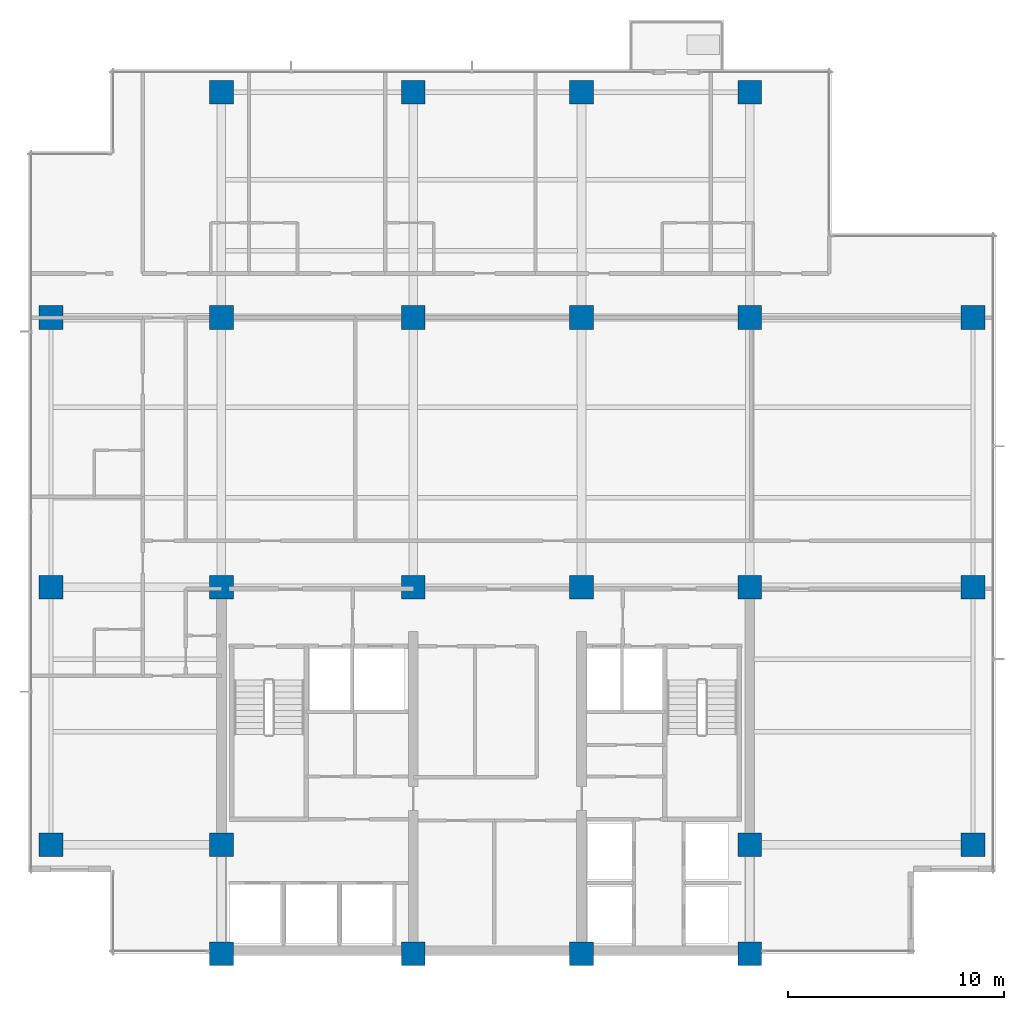
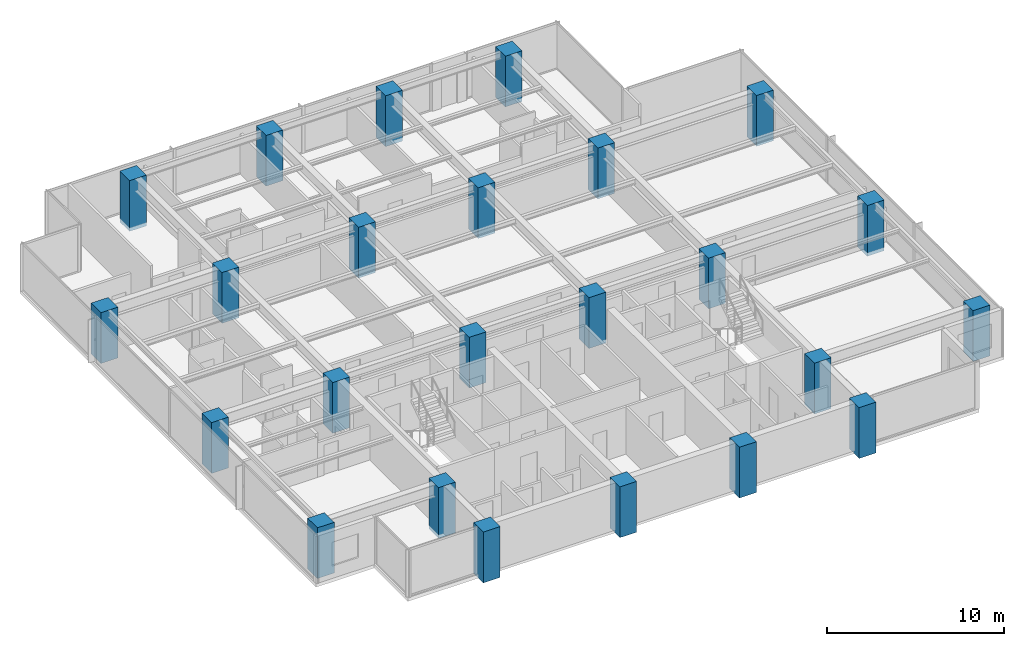
# One storey, part 1 of 15: 24 columns.
"""IFC4 building model written with IfcOpenShell, lengths in metres."""

from ifc_helpers import new_model, si_unit, direction, frame, origin, origin_2d, place, context, subcontext, project, spatial, rectangle, extrude, material, material_profile, profile_set, type_object, element, save


model = new_model("IFC4")

# Units and contexts
model_context = context("Model", 3, precision=1e-05, world=origin(), true_north=direction((0.0, 1.0)))
body_context = subcontext(model_context, "Body", "Model", "MODEL_VIEW")
ifc_project = project(units=[si_unit("LENGTHUNIT", "METRE"), si_unit("AREAUNIT", "SQUARE_METRE"), si_unit("VOLUMEUNIT", "CUBIC_METRE"), si_unit("PLANEANGLEUNIT", "RADIAN"), si_unit("MASSUNIT", "GRAM", prefix="KILO")], contexts=[model_context])

# Site, building, storey
site_placement = place(None, origin())
site = spatial("IfcSite", under=ifc_project, at=site_placement, CompositionType="ELEMENT")
building_placement = place(site_placement, origin())
building = spatial("IfcBuilding", under=site, at=building_placement, Name="Qalmaran Belvedere Hotel", CompositionType="ELEMENT")
storey_placement = place(building_placement, frame((0.0, 0.0, 173.60009765625)))
storey = spatial("IfcBuildingStorey", under=building, at=storey_placement, Name="L44", CompositionType="ELEMENT", Elevation=173.60009765625)

# Columns
ifc_material = material(Name="Concrete C50/60", Category="concrete")
ifc_material_profile = material_profile(ifc_material, rectangle(XDim=1.10009765625, YDim=1.10009765625, at=origin_2d()), Name="CC1100X1100")
ifc_profile_set = profile_set([ifc_material_profile], Name="Concrete C50/60")
column_type = type_object("IfcColumnType", Name="COL-Z3-CC1100", PredefinedType="COLUMN", material=ifc_profile_set)
for number, where, z_axis, x_axis, name in (
    (1, (20.300048828125, 3.5, -0.25), (0.0, 0.0, 1.0), (1.0, 0.0, 0.0), "L44 Column C4B"),
    (2, (29.199951171875, 3.5, -0.25), (0.0, 0.0, 1.0), (1.0, 0.0, 0.0), "L44 Column C5B"),
    (3, (37.0, 3.5, -0.25), (0.0, 0.0, 1.0), (1.0, 0.0, 0.0), "L44 Column C6B"),
    (4, (44.800048828125, 3.5, -0.25), (0.0, 0.0, 1.0), (1.0, 0.0, 0.0), "L44 Column C7B"),
    (5, (20.300048828125, 8.550048828125, -0.25), (0.0, 0.0, 1.0), (1.0, 0.0, 0.0), "L44 Column C4C"),
    (6, (44.800048828125, 8.550048828125, -0.25), (0.0, 0.0, 1.0), (1.0, 0.0, 0.0), "L44 Column C7C"),
    (7, (20.300048828125, 20.5, -0.25), (0.0, 0.0, 1.0), (1.0, 0.0, 0.0), "L44 Column C4D"),
    (8, (29.199951171875, 20.5, -0.25), (0.0, 0.0, 1.0), (1.0, 0.0, 0.0), "L44 Column C5D"),
    (9, (37.0, 20.5, -0.25), (0.0, 0.0, 1.0), (1.0, 0.0, 0.0), "L44 Column C6D"),
    (10, (44.800048828125, 20.5, -0.25), (0.0, 0.0, 1.0), (1.0, 0.0, 0.0), "L44 Column C7D"),
    (11, (20.300048828125, 33.0, -0.25), (0.0, 0.0, 1.0), (1.0, 0.0, 0.0), "L44 Column C4F"),
    (12, (29.199951171875, 33.0, -0.25), (0.0, 0.0, 1.0), (1.0, 0.0, 0.0), "L44 Column C5F"),
    (13, (37.0, 33.0, -0.25), (0.0, 0.0, 1.0), (1.0, 0.0, 0.0), "L44 Column C6F"),
    (14, (44.800048828125, 33.0, -0.25), (0.0, 0.0, 1.0), (1.0, 0.0, 0.0), "L44 Column C7F"),
    (15, (12.39990234375, 8.550048828125, -0.25), (0.0, 0.0, 1.0), (1.0, 0.0, 0.0), "L44 Column CW1"),
    (16, (12.39990234375, 20.5, -0.25), (0.0, 0.0, 1.0), (1.0, 0.0, 0.0), "L44 Column CW3"),
    (17, (12.39990234375, 33.0, -0.25), (0.0, 0.0, 1.0), (1.0, 0.0, 0.0), "L44 Column CW4"),
    (18, (55.14990234375, 8.550048828125, -0.25), (0.0, 0.0, 1.0), (1.0, 0.0, 0.0), "L44 Column CE1"),
    (19, (55.14990234375, 20.5, -0.25), (0.0, 0.0, 1.0), (1.0, 0.0, 0.0), "L44 Column CE3"),
    (20, (55.14990234375, 33.0, -0.25), (0.0, 0.0, 1.0), (1.0, 0.0, 0.0), "L44 Column CE4"),
    (21, (20.300048828125, 43.449951171875, -0.25), (0.0, 0.0, 1.0), (1.0, 0.0, 0.0), "L44 Column CN1"),
    (22, (29.199951171875, 43.449951171875, -0.25), (0.0, 0.0, 1.0), (1.0, 0.0, 0.0), "L44 Column CN2"),
    (23, (37.0, 43.449951171875, -0.25), (0.0, 0.0, 1.0), (1.0, 0.0, 0.0), "L44 Column CN3"),
    (24, (44.800048828125, 43.449951171875, -0.25), (0.0, 0.0, 1.0), (1.0, 0.0, 0.0), "L44 Column CN4"),
):
    element("IfcColumn", number, at=place(storey_placement, frame(where, z_axis=z_axis, x_axis=x_axis)), inside=storey, type_object=column_type, Name=name, PredefinedType="COLUMN", context=body_context, shape_type="SweptSolid", body=[
        extrude(rectangle(XDim=1.10009765625, YDim=1.10009765625, at=origin_2d()), origin(), (0.0, 0.0, 1.0), 3.5),
    ])

save(model, "model.ifc")
